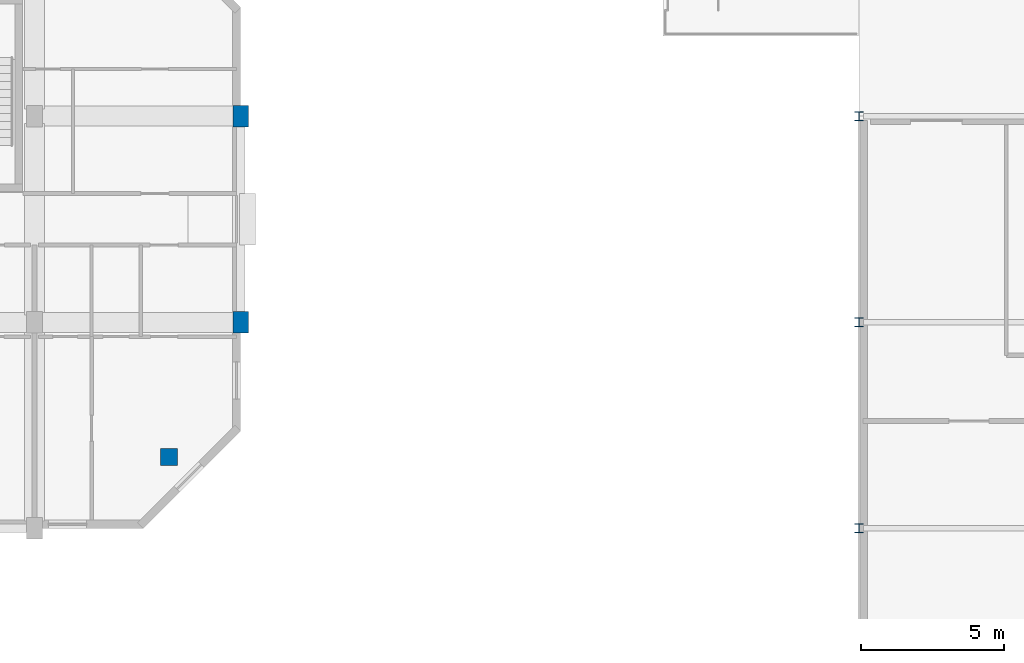
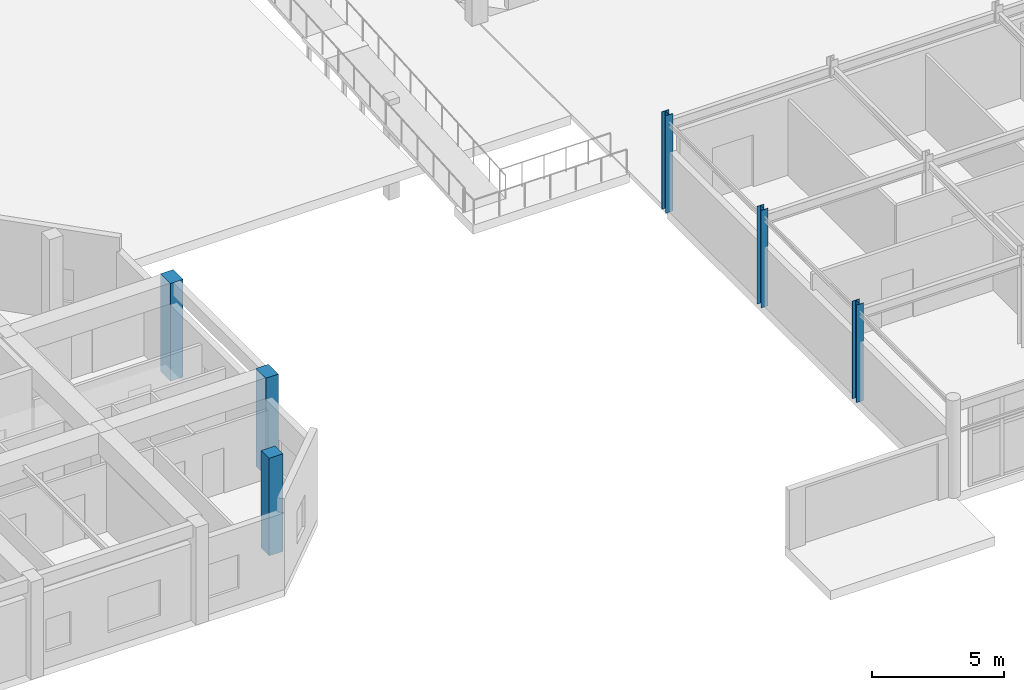
# One storey, part 2 of 85: 6 columns.
"""IFC4 building model written with IfcOpenShell, lengths in metres."""

from ifc_helpers import new_model, si_unit, direction, frame, origin, origin_2d, place, context, subcontext, project, spatial, rectangle, i_section, extrude, material, material_profile, profile_set, type_object, element, save


model = new_model("IFC4")

# Units and contexts
model_context = context("Model", 3, precision=1e-05, world=origin(), true_north=direction((0.0, 1.0)))
body_context = subcontext(model_context, "Body", "Model", "MODEL_VIEW")
ifc_project = project(units=[si_unit("LENGTHUNIT", "METRE"), si_unit("AREAUNIT", "SQUARE_METRE"), si_unit("VOLUMEUNIT", "CUBIC_METRE"), si_unit("PLANEANGLEUNIT", "RADIAN"), si_unit("MASSUNIT", "GRAM", prefix="KILO")], contexts=[model_context])

# Site, building, storey
site_placement = place(None, origin())
site = spatial("IfcSite", under=ifc_project, at=site_placement, CompositionType="ELEMENT")
building_placement = place(site_placement, origin())
building = spatial("IfcBuilding", under=site, at=building_placement, Name="Ochrevale Crest", CompositionType="ELEMENT")
storey_placement = place(building_placement, origin())
storey = spatial("IfcBuildingStorey", under=building, at=storey_placement, Name="L00", CompositionType="ELEMENT", Elevation=0.0)

# Columns
ifc_material_1 = material(Name="Precast concrete C50/60", Category="concrete")
ifc_material_profile_1 = material_profile(ifc_material_1, rectangle(XDim=0.550048828125, YDim=0.75, at=origin_2d()), Name="RC 550x750")
ifc_profile_set_1 = profile_set([ifc_material_profile_1], Name="Precast concrete C50/60")
column_type_1 = type_object("IfcColumnType", Name="COL-RC550x750", PredefinedType="COLUMN", material=ifc_profile_set_1)
for number, where, z_axis, x_axis, name in (
    (1, (36.0, 21.60009765625, 0.0), (0.0, 0.0, 1.0), (1.0, 0.0, 0.0), "Block A L00 column (36.0,21.6)"),
    (2, (36.0, 28.800048828125, 0.0), (0.0, 0.0, 1.0), (1.0, 0.0, 0.0), "Block A L00 column (36.0,28.8)"),
):
    element("IfcColumn", number, at=place(storey_placement, frame(where, z_axis=z_axis, x_axis=x_axis)), inside=storey, type_object=column_type_1, Name=name, PredefinedType="COLUMN", context=body_context, shape_type="SweptSolid", body=[
        extrude(rectangle(XDim=0.550048828125, YDim=0.75, at=origin_2d()), origin(), (0.0, 0.0, 1.0), 4.5),
    ])
ifc_material_profile_2 = material_profile(ifc_material_1, rectangle(XDim=0.60009765625, YDim=0.60009765625, at=origin_2d()), Name="RC 600x600")
ifc_profile_set_2 = profile_set([ifc_material_profile_2], Name="Precast concrete C50/60")
column_type_2 = type_object("IfcColumnType", Name="COL-RC600x600", PredefinedType="COLUMN", material=ifc_profile_set_2)
column_placement = place(storey_placement, frame((33.5, 16.89990234375, 0.0), z_axis=(0.0, 0.0, 1.0), x_axis=(1.0, 0.0, 0.0)))
element("IfcColumn", 3, at=column_placement, inside=storey, type_object=column_type_2, Name="Block A L00 column (33.5,16.9)", PredefinedType="COLUMN", context=body_context, shape_type="SweptSolid", body=[
    extrude(rectangle(XDim=0.60009765625, YDim=0.60009765625, at=origin_2d()), origin(), (0.0, 0.0, 1.0), 4.5),
])
ifc_material_2 = material(Name="Steel S355", Category="steel")
ifc_material_profile_3 = material_profile(ifc_material_2, i_section(OverallWidth=0.306884765625, OverallDepth=0.314697265625, WebThickness=0.011962890625, FlangeThickness=0.018798828125, FilletRadius=0.0166015625, at=origin_2d()), Name="310UC118")
ifc_profile_set_3 = profile_set([ifc_material_profile_3], Name="Steel S355")
column_type_3 = type_object("IfcColumnType", Name="COL-UC310B", PredefinedType="COLUMN", material=ifc_profile_set_3)
for number, where, z_axis, x_axis, name in (
    (4, (57.60009765625, 14.39990234375, 0.0), (0.0, 0.0, 1.0), (1.0, 0.0, 0.0), "Retail arcade L00 column (57.6,14.4)"),
    (5, (57.60009765625, 21.60009765625, 0.0), (0.0, 0.0, 1.0), (1.0, 0.0, 0.0), "Retail arcade L00 column (57.6,21.6)"),
    (6, (57.60009765625, 28.800048828125, 0.0), (0.0, 0.0, 1.0), (1.0, 0.0, 0.0), "Retail arcade L00 column (57.6,28.8)"),
):
    element("IfcColumn", number, at=place(storey_placement, frame(where, z_axis=z_axis, x_axis=x_axis)), inside=storey, type_object=column_type_3, Name=name, PredefinedType="COLUMN", context=body_context, shape_type="SweptSolid", body=[
        extrude(i_section(OverallWidth=0.306884765625, OverallDepth=0.314697265625, WebThickness=0.011962890625, FlangeThickness=0.018798828125, FilletRadius=0.0166015625, at=origin_2d()), origin(), (0.0, 0.0, 1.0), 4.5),
    ])

save(model, "model.ifc")
